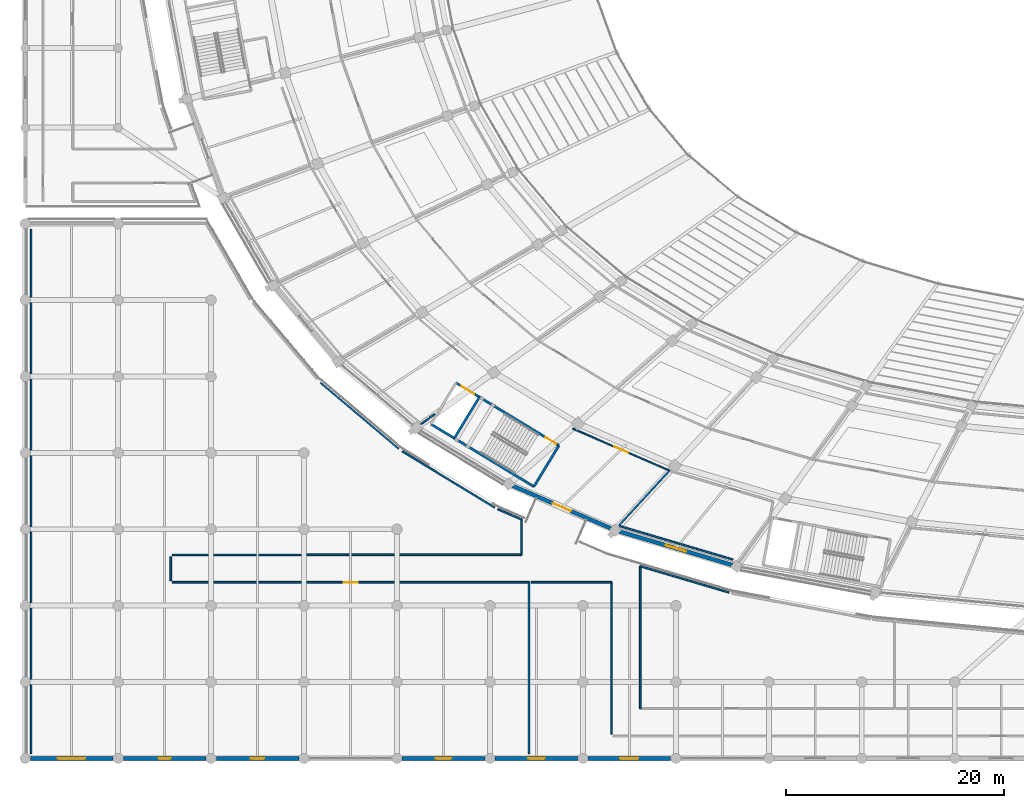
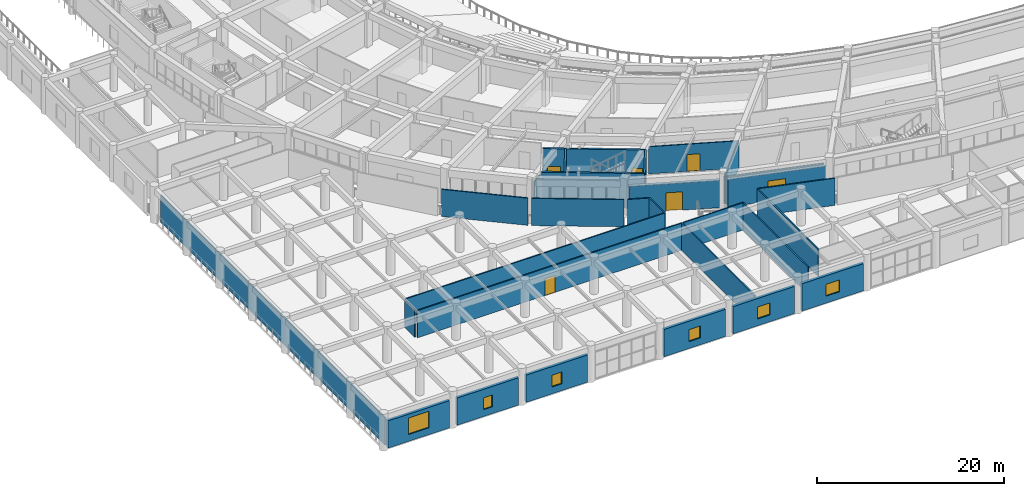
# One storey, part 94 of 152: 29 walls, 7 windows, 5 doors, 12 openings.
"""IFC4 building model written with IfcOpenShell, lengths in metres."""

import ifcopenshell
import ifcopenshell.guid

model = None  # the IFC model being written
_history = None  # IfcOwnerHistory: only IFC2X3 demands one
_inside = {}  # id of a spatial element -> (the spatial element, [elements in it])
_under = {}  # id of a project, library or spatial element -> (it, [spatial elements below it])
_declared = {}  # id of a project -> (the project, [libraries it declares])
_typed = {}  # id of a type object -> (the type object, [elements of that type])
_made_of = {}  # id of a material, layer set ... -> (it, [elements and type objects made of it])


def new_model(schema):
    """Start an empty IFC model of exactly this schema.

    Asked for "IFC4X3", IfcOpenShell would pick the latest addendum, in which some entities
    have other attributes; the version numbers below select the first issue.
    IFC2X3 requires an IfcOwnerHistory on every rooted entity: one is made here for all.
    """
    global model, _history
    if schema == "IFC4X3":
        model = ifcopenshell.file(schema_version=(4, 3, 0, 0))
    else:
        model = ifcopenshell.file(schema=schema)
    _inside.clear()
    _under.clear()
    _declared.clear()
    _typed.clear()
    _made_of.clear()
    _history = None
    if model.schema == "IFC2X3":
        org = make("IfcOrganization", Name="unknown")
        user = make(
            "IfcPersonAndOrganization",
            ThePerson=make("IfcPerson", FamilyName="unknown"),
            TheOrganization=org,
        )
        app = make(
            "IfcApplication",
            ApplicationDeveloper=org,
            Version="unknown",
            ApplicationFullName="unknown",
            ApplicationIdentifier="unknown",
        )
        _history = make(
            "IfcOwnerHistory",
            OwningUser=user,
            OwningApplication=app,
            ChangeAction="ADDED",
            CreationDate=0,
        )
    return model


def make(cls, **values):
    """One entity of the class cls with the attributes given. An attribute that is None is left unset."""
    return model.create_entity(
        cls, **{name: value for name, value in values.items() if value is not None}
    )


def rooted(cls, **values):
    """An entity with a GlobalId (a new one), such as an element, a storey or a relation."""
    return make(cls, GlobalId=ifcopenshell.guid.new(), OwnerHistory=_history, **values)


def si_unit(unit_type, name, prefix=None):
    """IfcSIUnit, for example si_unit("LENGTHUNIT", "METRE", prefix="MILLI")."""
    return make("IfcSIUnit", UnitType=unit_type, Prefix=prefix, Name=name)


def assignment(units):
    """IfcUnitAssignment: the units of a project."""
    return None if units is None else make("IfcUnitAssignment", Units=units)


def point(xyz):
    """IfcCartesianPoint."""
    return None if xyz is None else make("IfcCartesianPoint", Coordinates=xyz)


def direction(xyz):
    """IfcDirection."""
    return None if xyz is None else make("IfcDirection", DirectionRatios=xyz)


def frame(location, z_axis=None, x_axis=None):
    """IfcAxis2Placement3D, a coordinate frame: its origin and axes. An axis left out is left unset."""
    return make(
        "IfcAxis2Placement3D",
        Location=point(location),
        Axis=direction(z_axis),
        RefDirection=direction(x_axis),
    )


def frame_2d(location, x_axis=None):
    """IfcAxis2Placement2D, a coordinate frame in the plane: its origin and x axis."""
    return make(
        "IfcAxis2Placement2D", Location=point(location), RefDirection=direction(x_axis)
    )


def origin():
    """The frame at (0, 0, 0) with its axes left unset."""
    return frame((0.0, 0.0, 0.0))


def place(relative_to, where):
    """IfcLocalPlacement: puts the frame where relative to a parent placement (None: the world)."""
    return make(
        "IfcLocalPlacement", PlacementRelTo=relative_to, RelativePlacement=where
    )


def context(
    kind, dimensions, precision=None, world=None, true_north=None, identifier=None
):
    """IfcGeometricRepresentationContext, for example the 3D "Model" context."""
    return make(
        "IfcGeometricRepresentationContext",
        ContextIdentifier=identifier,
        ContextType=kind,
        CoordinateSpaceDimension=dimensions,
        Precision=precision,
        WorldCoordinateSystem=world,
        TrueNorth=true_north,
    )


def subcontext(parent, identifier, kind, view, scale=None):
    """IfcGeometricRepresentationSubContext, for example "Body" below "Model"."""
    return make(
        "IfcGeometricRepresentationSubContext",
        ContextIdentifier=identifier,
        ContextType=kind,
        ParentContext=parent,
        TargetScale=scale,
        TargetView=view,
    )


def project(units=None, contexts=None):
    """IfcProject with its units and contexts."""
    return rooted(
        "IfcProject",
        Name="project",
        RepresentationContexts=contexts,
        UnitsInContext=assignment(units),
    )


def spatial(cls, under=None, at=None, **own):
    """A site, building, storey or space (cls), placed at a placement, below another one or the project."""
    s = rooted(cls, ObjectPlacement=at, **own)
    if under is not None:
        _under.setdefault(under.id(), (under, []))[1].append(s)
    return s


def profile(cls, at=None, kind="AREA", **sizes):
    """A parametric profile (cls). Its sizes go by their IFC names, for example OverallWidth=200.0."""
    return make(cls, ProfileType=kind, Position=at, **sizes)


def rectangle(**sizes):
    """IfcRectangleProfileDef."""
    return profile("IfcRectangleProfileDef", **sizes)


def extrude(swept, where, along, depth):
    """IfcExtrudedAreaSolid: the profile swept, set in the frame where, extruded along a direction by depth."""
    return make(
        "IfcExtrudedAreaSolid",
        SweptArea=swept,
        Position=where,
        ExtrudedDirection=direction(along),
        Depth=depth,
    )


def shape(context_of_items, identifier, shape_type, items):
    """IfcShapeRepresentation: the items that make up one representation, for example the "Body"."""
    return make(
        "IfcShapeRepresentation",
        ContextOfItems=context_of_items,
        RepresentationIdentifier=identifier,
        RepresentationType=shape_type,
        Items=items,
    )


def material(Name=None, Category=None):
    """IfcMaterial."""
    return make("IfcMaterial", Name=Name, Category=Category)


def layer(
    of_material, thickness, ventilated=None, Name=None, Category=None, Priority=None
):
    """IfcMaterialLayer: one layer of a wall or slab, of a material (None: an air gap)."""
    return make(
        "IfcMaterialLayer",
        Material=of_material,
        LayerThickness=thickness,
        IsVentilated=ventilated,
        Name=Name,
        Category=Category,
        Priority=Priority,
    )


def layer_set(layers, Name=None):
    """IfcMaterialLayerSet."""
    return make("IfcMaterialLayerSet", MaterialLayers=layers, LayerSetName=Name)


def made_of(thing, what):
    """Note that an element or type object is made of a material, layer set ...; save() writes the relation."""
    if what is not None:
        _made_of.setdefault(what.id(), (what, []))[1].append(thing)
    return thing


def type_object(cls, material=None, **own):
    """A type object (cls), such as IfcWallType, which elements share."""
    return made_of(rooted(cls, **own), material)


def element(
    cls,
    number,
    at=None,
    inside=None,
    cuts=None,
    type_object=None,
    material=None,
    context=None,
    identifier="Body",
    shape_type=None,
    held_by="IfcProductDefinitionShape",
    body=None,
    shapes=None,
    **own,
):
    """One element of the class cls, such as IfcWall. Its Tag is "e" and its number.

    at: its placement. inside: the storey or other place that contains it. cuts: it is an
    opening in that element (IfcRelVoidsElement). A single representation is given by context,
    identifier, shape_type and body (its items); several are given by shapes. held_by: the class
    of the entity that holds the representations. save() writes the other relations.
    """
    e = rooted(cls, Tag="e%d" % number, ObjectPlacement=at, **own)
    if body is not None:
        shapes = [shape(context, identifier, shape_type, body)]
    if shapes is not None:
        e.Representation = make(held_by, Representations=shapes)
    if inside is not None:
        _inside.setdefault(inside.id(), (inside, []))[1].append(e)
    if cuts is not None:
        rooted(
            "IfcRelVoidsElement", RelatingBuildingElement=cuts, RelatedOpeningElement=e
        )
    if type_object is not None:
        _typed.setdefault(type_object.id(), (type_object, []))[1].append(e)
    return made_of(e, material)


def fill(opening, filler):
    """IfcRelFillsElement: the door or window that sits in an opening."""
    return rooted(
        "IfcRelFillsElement",
        RelatingOpeningElement=opening,
        RelatedBuildingElement=filler,
    )


def aggregate(whole, parts):
    """IfcRelAggregates: a whole, such as a stair, and the parts it consists of."""
    return rooted("IfcRelAggregates", RelatingObject=whole, RelatedObjects=parts)


def save(model, path):
    """Write the relations noted so far, then the file.

    IfcRelAggregates (storeys below a building ...), IfcRelContainedInSpatialStructure (elements
    in a storey), IfcRelDefinesByType, IfcRelAssociatesMaterial and IfcRelDeclares: one each for
    every whole, place, type object, material and project.
    """
    for whole, parts in _under.values():
        aggregate(whole, parts)
    for where, things in _inside.values():
        rooted(
            "IfcRelContainedInSpatialStructure",
            RelatedElements=things,
            RelatingStructure=where,
        )
    for kind, things in _typed.values():
        rooted("IfcRelDefinesByType", RelatedObjects=things, RelatingType=kind)
    for what, things in _made_of.values():
        rooted("IfcRelAssociatesMaterial", RelatedObjects=things, RelatingMaterial=what)
    for by, libraries in _declared.values():
        rooted("IfcRelDeclares", RelatingContext=by, RelatedDefinitions=libraries)
    model.write(path)


model = new_model("IFC4")

# Units and contexts
model_context = context("Model", 3, precision=1e-05, world=origin(), true_north=direction((0.0, 1.0)))
body_context = subcontext(model_context, "Body", "Model", "MODEL_VIEW")
ifc_project = project(units=[si_unit("LENGTHUNIT", "METRE"), si_unit("AREAUNIT", "SQUARE_METRE"), si_unit("VOLUMEUNIT", "CUBIC_METRE"), si_unit("PLANEANGLEUNIT", "RADIAN"), si_unit("MASSUNIT", "GRAM", prefix="KILO")], contexts=[model_context])

# Site, building, storey
site_placement = place(None, origin())
site = spatial("IfcSite", under=ifc_project, at=site_placement, CompositionType="ELEMENT")
building_placement = place(site_placement, origin())
building = spatial("IfcBuilding", under=site, at=building_placement, Name="Mphavela Belvedere Stadium", CompositionType="ELEMENT")
storey_placement = place(building_placement, frame((0.0, 0.0, 5.39990234375)))
storey = spatial("IfcBuildingStorey", under=building, at=storey_placement, Name="L01", CompositionType="ELEMENT", Elevation=5.39990234375)

# Walls
ifc_material_1 = material(Name="Concrete C40/50", Category="concrete")
ifc_layer_1 = layer(ifc_material_1, 0.219970703125)
ifc_layer_set_1 = layer_set([ifc_layer_1], Name="Concrete C40/50")
wall_type_1 = type_object("IfcWallType", Name="WAL-CORE-SHEAR-220", PredefinedType="SHEAR", material=ifc_layer_set_1)
wall_1_placement = place(storey_placement, frame((46.62060546875, 24.908935546875, 0.0), z_axis=(0.0, 0.0, 1.0), x_axis=(-0.854373055797, 0.519660159651, 0.0)))
element("IfcWall", 1, at=wall_1_placement, inside=storey, type_object=wall_type_1, Name="Core C10 shear wall L01 rear", PredefinedType="SHEAR", context=body_context, shape_type="SweptSolid", body=[
    extrude(rectangle(XDim=11.019775390625, YDim=0.219970703125, at=frame_2d((5.509765625, 0.0))), origin(), (0.0, 0.0, 1.0), 4.550048828125),
])
wall_2_placement = place(storey_placement, frame((48.91259765625, 28.676513671875, 0.0), z_axis=(0.0, 0.0, 1.0), x_axis=(-0.519729151243, -0.854331088834, 0.0)))
element("IfcWall", 2, at=wall_2_placement, inside=storey, type_object=wall_type_1, Name="Core C10 shear wall L01 left", PredefinedType="SHEAR", context=body_context, shape_type="SweptSolid", body=[
    extrude(rectangle(XDim=4.409912109375, YDim=0.219970703125, at=frame_2d((2.205078125, 0.0))), origin(), (0.0, 0.0, 1.0), 4.550048828125),
])

# Wall, openings, doors
wall_3_placement = place(storey_placement, frame((48.91259765625, 28.676513671875, 0.0), z_axis=(0.0, 0.0, 1.0), x_axis=(-0.854369202373, 0.51966649501, 0.0)))
wall_3 = element("IfcWall", 3, at=wall_3_placement, inside=storey, type_object=wall_type_1, Name="Core C10 shear wall L01 front", PredefinedType="SHEAR", context=body_context, shape_type="SweptSolid", body=[
    extrude(rectangle(XDim=11.020263671875, YDim=0.219970703125, at=frame_2d((5.51025390625, 0.0))), origin(), (0.0, 0.0, 1.0), 4.550048828125),
])
opening_1_placement = place(wall_3_placement, frame((0.300048828125, 0.0, 0.0)))
opening_1 = element("IfcOpeningElement", 4, at=opening_1_placement, cuts=wall_3, Name="Opening SD-052", PredefinedType="OPENING", context=body_context, shape_type="SweptSolid", body=[
    extrude(rectangle(XDim=1.14990234375, YDim=2.14990234375, at=frame_2d((0.574951171875, 1.074951171875))), frame((0.0, 0.1201171875, 0.0), z_axis=(0.0, -1.0, 0.0), x_axis=(1.0, 0.0, 0.0)), (0.0, 0.0, 1.0), 0.239990234375),
])
opening_2_placement = place(wall_3_placement, frame((9.080078125, 0.0, 0.0)))
opening_2 = element("IfcOpeningElement", 5, at=opening_2_placement, cuts=wall_3, Name="Opening LD-052", PredefinedType="OPENING", context=body_context, shape_type="SweptSolid", body=[
    extrude(rectangle(XDim=1.39990234375, YDim=2.25, at=frame_2d((0.699951171875, 1.125))), frame((0.0, 0.1201171875, 0.0), z_axis=(0.0, -1.0, 0.0), x_axis=(1.0, 0.0, 0.0)), (0.0, 0.0, 1.0), 0.239990234375),
])
ifc_material_2 = material(Name="Heavy-duty stainless steel goods lift landing door", Category="steel")
door_type_1 = type_object("IfcDoorType", Name="DR-LIFT-SLIDE-1400", OperationType="NOTDEFINED", PredefinedType="DOOR", material=ifc_material_2)
door_1_placement = place(opening_2_placement, origin())
door_1 = element("IfcDoor", 6, at=door_1_placement, inside=storey, type_object=door_type_1, Name="Lift landing sliding door GL02 L01", OperationType="DOUBLE_DOOR_SLIDING", OverallHeight=2.25, OverallWidth=1.39990234375, PredefinedType="DOOR", context=body_context, shape_type="SweptSolid", body=[
    extrude(rectangle(XDim=1.39990234375, YDim=2.25, at=frame_2d((0.699951171875, 1.125))), frame((0.0, 0.02490234375, 0.0), z_axis=(0.0, -1.0, 0.0), x_axis=(1.0, 0.0, 0.0)), (0.0, 0.0, 1.0), 0.050048828125),
])
fill(opening_2, door_1)
ifc_material_3 = material(Name="Steel acoustic fire-resisting stair doorset", Category="steel")
door_type_2 = type_object("IfcDoorType", Name="DR-STAIR-FIRE-1150", OperationType="NOTDEFINED", PredefinedType="DOOR", material=ifc_material_3)
door_2_placement = place(opening_1_placement, origin())
door_2 = element("IfcDoor", 7, at=door_2_placement, inside=storey, type_object=door_type_2, Name="Escape stair fire door C10 L01", OperationType="SINGLE_SWING_RIGHT", OverallHeight=2.14990234375, OverallWidth=1.14990234375, PredefinedType="DOOR", context=body_context, shape_type="SweptSolid", body=[
    extrude(rectangle(XDim=1.14990234375, YDim=2.14990234375, at=frame_2d((0.574951171875, 1.074951171875))), frame((0.0, 0.02490234375, 0.0), z_axis=(0.0, -1.0, 0.0), x_axis=(1.0, 0.0, 0.0)), (0.0, 0.0, 1.0), 0.050048828125),
])
fill(opening_1, door_2)

# Wall
wall_4_placement = place(storey_placement, frame((41.6162109375, 33.114501953125, 0.0), z_axis=(0.0, 0.0, 1.0), x_axis=(-0.519664162523, -0.854370621095, 0.0)))
element("IfcWall", 8, at=wall_4_placement, inside=storey, type_object=wall_type_1, Name="Core C10 shear wall L01 div", PredefinedType="SHEAR", context=body_context, shape_type="SweptSolid", body=[
    extrude(rectangle(XDim=4.41015625, YDim=0.219970703125, at=frame_2d((2.205078125, 0.0))), origin(), (0.0, 0.0, 1.0), 4.550048828125),
])

# Wall, opening, door
ifc_material_4 = material(Name="Honed ashlar limestone masonry", Category="masonry")
ifc_layer_2 = layer(ifc_material_4, 0.35009765625)
ifc_layer_set_2 = layer_set([ifc_layer_2], Name="Honed ashlar limestone masonry")
wall_type_2 = type_object("IfcWallType", Name="WAL-EXT-ASHLAR-350", PredefinedType="STANDARD", material=ifc_layer_set_2)
wall_5_placement = place(storey_placement, frame((53.67431640625, 21.076904296875, 0.0), z_axis=(0.0, 0.0, 1.0), x_axis=(-0.91749374913, 0.397750198375, 0.0)))
wall_5 = element("IfcWall", 9, at=wall_5_placement, inside=storey, type_object=wall_type_2, Name="Classical link portal wall L01-32", PredefinedType="STANDARD", context=body_context, shape_type="SweptSolid", body=[
    extrude(rectangle(XDim=9.790283203125, YDim=0.35009765625, at=frame_2d((4.89501953125, 0.0))), origin(), (0.0, 0.0, 1.0), 3.570068359375),
])
opening_3_placement = place(wall_5_placement, frame((3.9951171875, 0.0, 0.0)))
opening_3 = element("IfcOpeningElement", 10, at=opening_3_placement, cuts=wall_5, Name="Opening ID-9131", PredefinedType="OPENING", context=body_context, shape_type="SweptSolid", body=[
    extrude(rectangle(XDim=1.800048828125, YDim=2.39990234375, at=frame_2d((0.89990234375, 1.199951171875))), frame((0.0, 0.18505859375, 0.0), z_axis=(0.0, -1.0, 0.0), x_axis=(1.0, 0.0, 0.0)), (0.0, 0.0, 1.0), 0.3701171875),
])
ifc_material_5 = material(Name="Glazed bronze-anodised steel exit doorset", Category="steel")
door_type_3 = type_object("IfcDoorType", Name="DR-EXT-01", OperationType="NOTDEFINED", PredefinedType="DOOR", material=ifc_material_5)
door_3_placement = place(opening_3_placement, origin())
door_3 = element("IfcDoor", 11, at=door_3_placement, inside=storey, type_object=door_type_3, Name="Wing promenade link doorset L01-32", OperationType="DOUBLE_DOOR_SINGLE_SWING", OverallHeight=2.39990234375, OverallWidth=1.800048828125, PredefinedType="DOOR", context=body_context, shape_type="SweptSolid", body=[
    extrude(rectangle(XDim=1.800048828125, YDim=2.39990234375, at=frame_2d((0.89990234375, 1.199951171875))), frame((0.0, 0.02490234375, 0.0), z_axis=(0.0, -1.0, 0.0), x_axis=(1.0, 0.0, 0.0)), (0.0, 0.0, 1.0), 0.050048828125),
])
fill(opening_3, door_3)

# Wall, opening, window
wall_6_placement = place(storey_placement, frame((54.468017578125, 20.788330078125, 0.0), z_axis=(0.0, 0.0, 1.0), x_axis=(0.958655755841, -0.284568342921, 0.0)))
wall_6 = element("IfcWall", 12, at=wall_6_placement, inside=storey, type_object=wall_type_2, Name="Classical ashlar facade wall L01-33", PredefinedType="STANDARD", context=body_context, shape_type="SweptSolid", body=[
    extrude(rectangle(XDim=10.7705078125, YDim=0.35009765625, at=frame_2d((5.38525390625, 0.0))), origin(), (0.0, 0.0, 1.0), 3.570068359375),
])
opening_4_placement = place(wall_6_placement, frame((4.415283203125, 0.0, 0.89990234375)))
opening_4 = element("IfcOpeningElement", 13, at=opening_4_placement, cuts=wall_6, Name="Opening W-018", PredefinedType="OPENING", context=body_context, shape_type="SweptSolid", body=[
    extrude(rectangle(XDim=1.93994140625, YDim=1.75, at=frame_2d((0.969970703125, 0.875))), frame((0.0, 0.18505859375, 0.0), z_axis=(0.0, -1.0, 0.0), x_axis=(1.0, 0.0, 0.0)), (0.0, 0.0, 1.0), 0.3701171875),
])
ifc_material_6 = material(Name="Bronze-anodised thermally broken aluminium window", Category="aluminium")
window_type_1 = type_object("IfcWindowType", Name="WIN-EXT-18", PartitioningType="SINGLE_PANEL", PredefinedType="WINDOW", material=ifc_material_6)
window_1_placement = place(opening_4_placement, origin())
window_1 = element("IfcWindow", 14, at=window_1_placement, inside=storey, type_object=window_type_1, Name="Belvedere gallery window W-018", OverallHeight=1.75, OverallWidth=1.93994140625, PartitioningType="SINGLE_PANEL", PredefinedType="WINDOW", context=body_context, shape_type="SweptSolid", body=[
    extrude(rectangle(XDim=1.93994140625, YDim=1.75, at=frame_2d((0.969970703125, 0.875))), frame((0.0, 0.030029296875, 0.0), z_axis=(0.0, -1.0, 0.0), x_axis=(1.0, 0.0, 0.0)), (0.0, 0.0, 1.0), 0.06005859375),
])
fill(opening_4, window_1)

wall_7_placement = place(storey_placement, frame((8.0458984375, 0.0, 0.0), z_axis=(0.0, 0.0, 1.0), x_axis=(-1.0, 0.0, 0.0)))
wall_7 = element("IfcWall", 15, at=wall_7_placement, inside=storey, type_object=wall_type_2, Name="South Axial Triumphal Peristyle Portico outer facade bay L01-01", PredefinedType="STANDARD", context=body_context, shape_type="SweptSolid", body=[
    extrude(rectangle(XDim=7.572998046875, YDim=0.35009765625, at=frame_2d((3.78662109375, 0.0))), origin(), (0.0, 0.0, 1.0), 3.56005859375),
])
opening_5_placement = place(wall_7_placement, frame((2.526611328125, 0.0, 0.89990234375)))
opening_5 = element("IfcOpeningElement", 16, at=opening_5_placement, cuts=wall_7, Name="Opening W-044", PredefinedType="OPENING", context=body_context, shape_type="SweptSolid", body=[
    extrude(rectangle(XDim=2.52001953125, YDim=2.14990234375, at=frame_2d((1.260009765625, 1.074951171875))), frame((0.0, 0.18505859375, 0.0), z_axis=(0.0, -1.0, 0.0), x_axis=(1.0, 0.0, 0.0)), (0.0, 0.0, 1.0), 0.3701171875),
])
ifc_material_7 = material(Name="Bronze-anodised thermally broken aluminium window", Category="aluminium")
window_type_2 = type_object("IfcWindowType", Name="WIN-EXT-44", PartitioningType="SINGLE_PANEL", PredefinedType="WINDOW", material=ifc_material_7)
window_2_placement = place(opening_5_placement, origin())
window_2 = element("IfcWindow", 17, at=window_2_placement, inside=storey, type_object=window_type_2, Name="South Axial Triumphal Peristyle Portico classical window W-044", OverallHeight=2.14990234375, OverallWidth=2.52001953125, PartitioningType="SINGLE_PANEL", PredefinedType="WINDOW", context=body_context, shape_type="SweptSolid", body=[
    extrude(rectangle(XDim=2.52001953125, YDim=2.14990234375, at=frame_2d((1.260009765625, 1.074951171875))), frame((0.0, 0.030029296875, 0.0), z_axis=(0.0, -1.0, 0.0), x_axis=(1.0, 0.0, 0.0)), (0.0, 0.0, 1.0), 0.06005859375),
])
fill(opening_5, window_2)

wall_8_placement = place(storey_placement, frame((16.56396484375, 0.0, 0.0), z_axis=(0.0, 0.0, 1.0), x_axis=(-1.0, 0.0, 0.0)))
wall_8 = element("IfcWall", 18, at=wall_8_placement, inside=storey, type_object=wall_type_2, Name="South Axial Triumphal Peristyle Portico outer facade bay L01-02", PredefinedType="STANDARD", context=body_context, shape_type="SweptSolid", body=[
    extrude(rectangle(XDim=7.572021484375, YDim=0.35009765625, at=frame_2d((3.7861328125, 0.0))), origin(), (0.0, 0.0, 1.0), 3.56005859375),
])
opening_6_placement = place(wall_8_placement, frame((3.236083984375, 0.0, 0.89990234375)))
opening_6 = element("IfcOpeningElement", 19, at=opening_6_placement, cuts=wall_8, Name="Opening W-045", PredefinedType="OPENING", context=body_context, shape_type="SweptSolid", body=[
    extrude(rectangle(XDim=1.10009765625, YDim=1.550048828125, at=frame_2d((0.550048828125, 0.77490234375))), frame((0.0, 0.18505859375, 0.0), z_axis=(0.0, -1.0, 0.0), x_axis=(1.0, 0.0, 0.0)), (0.0, 0.0, 1.0), 0.3701171875),
])
ifc_material_8 = material(Name="Bronze-anodised thermally broken aluminium window", Category="aluminium")
window_type_3 = type_object("IfcWindowType", Name="WIN-EXT-01", PartitioningType="SINGLE_PANEL", PredefinedType="WINDOW", material=ifc_material_8)
window_3_placement = place(opening_6_placement, origin())
window_3 = element("IfcWindow", 20, at=window_3_placement, inside=storey, type_object=window_type_3, Name="South Axial Triumphal Peristyle Portico classical window W-045", OverallHeight=1.550048828125, OverallWidth=1.10009765625, PartitioningType="SINGLE_PANEL", PredefinedType="WINDOW", context=body_context, shape_type="SweptSolid", body=[
    extrude(rectangle(XDim=1.10009765625, YDim=1.550048828125, at=frame_2d((0.550048828125, 0.77490234375))), frame((0.0, 0.030029296875, 0.0), z_axis=(0.0, -1.0, 0.0), x_axis=(1.0, 0.0, 0.0)), (0.0, 0.0, 1.0), 0.06005859375),
])
fill(opening_6, window_3)

wall_9_placement = place(storey_placement, frame((25.0830078125, 0.0, 0.0), z_axis=(0.0, 0.0, 1.0), x_axis=(-1.0, 0.0, 0.0)))
wall_9 = element("IfcWall", 21, at=wall_9_placement, inside=storey, type_object=wall_type_2, Name="South Axial Triumphal Peristyle Portico outer facade bay L01-03", PredefinedType="STANDARD", context=body_context, shape_type="SweptSolid", body=[
    extrude(rectangle(XDim=7.572998046875, YDim=0.35009765625, at=frame_2d((3.78662109375, 0.0))), origin(), (0.0, 0.0, 1.0), 3.56005859375),
])
opening_7_placement = place(wall_9_placement, frame((3.16650390625, 0.0, 0.89990234375)))
opening_7 = element("IfcOpeningElement", 22, at=opening_7_placement, cuts=wall_9, Name="Opening W-046", PredefinedType="OPENING", context=body_context, shape_type="SweptSolid", body=[
    extrude(rectangle(XDim=1.239990234375, YDim=1.550048828125, at=frame_2d((0.6201171875, 0.77490234375))), frame((0.0, 0.18505859375, 0.0), z_axis=(0.0, -1.0, 0.0), x_axis=(1.0, 0.0, 0.0)), (0.0, 0.0, 1.0), 0.3701171875),
])
ifc_material_9 = material(Name="Bronze-anodised thermally broken aluminium window", Category="aluminium")
window_type_4 = type_object("IfcWindowType", Name="WIN-EXT-02", PartitioningType="SINGLE_PANEL", PredefinedType="WINDOW", material=ifc_material_9)
window_4_placement = place(opening_7_placement, origin())
window_4 = element("IfcWindow", 23, at=window_4_placement, inside=storey, type_object=window_type_4, Name="South Axial Triumphal Peristyle Portico classical window W-046", OverallHeight=1.550048828125, OverallWidth=1.239990234375, PartitioningType="SINGLE_PANEL", PredefinedType="WINDOW", context=body_context, shape_type="SweptSolid", body=[
    extrude(rectangle(XDim=1.239990234375, YDim=1.550048828125, at=frame_2d((0.6201171875, 0.77490234375))), frame((0.0, 0.030029296875, 0.0), z_axis=(0.0, -1.0, 0.0), x_axis=(1.0, 0.0, 0.0)), (0.0, 0.0, 1.0), 0.06005859375),
])
fill(opening_7, window_4)

wall_10_placement = place(storey_placement, frame((42.1201171875, 0.0, 0.0), z_axis=(0.0, 0.0, 1.0), x_axis=(-1.0, 0.0, 0.0)))
wall_10 = element("IfcWall", 24, at=wall_10_placement, inside=storey, type_object=wall_type_2, Name="South Axial Triumphal Peristyle Portico outer facade bay L01-05", PredefinedType="STANDARD", context=body_context, shape_type="SweptSolid", body=[
    extrude(rectangle(XDim=7.572998046875, YDim=0.35009765625, at=frame_2d((3.78662109375, 0.0))), origin(), (0.0, 0.0, 1.0), 3.56005859375),
])
opening_8_placement = place(wall_10_placement, frame((3.096435546875, 0.0, 0.89990234375)))
opening_8 = element("IfcOpeningElement", 25, at=opening_8_placement, cuts=wall_10, Name="Opening W-047", PredefinedType="OPENING", context=body_context, shape_type="SweptSolid", body=[
    extrude(rectangle(XDim=1.3798828125, YDim=1.550048828125, at=frame_2d((0.68994140625, 0.77490234375))), frame((0.0, 0.18505859375, 0.0), z_axis=(0.0, -1.0, 0.0), x_axis=(1.0, 0.0, 0.0)), (0.0, 0.0, 1.0), 0.3701171875),
])
ifc_material_10 = material(Name="Bronze-anodised thermally broken aluminium window", Category="aluminium")
window_type_5 = type_object("IfcWindowType", Name="WIN-EXT-03", PartitioningType="SINGLE_PANEL", PredefinedType="WINDOW", material=ifc_material_10)
window_5_placement = place(opening_8_placement, origin())
window_5 = element("IfcWindow", 26, at=window_5_placement, inside=storey, type_object=window_type_5, Name="South Axial Triumphal Peristyle Portico classical window W-047", OverallHeight=1.550048828125, OverallWidth=1.3798828125, PartitioningType="SINGLE_PANEL", PredefinedType="WINDOW", context=body_context, shape_type="SweptSolid", body=[
    extrude(rectangle(XDim=1.3798828125, YDim=1.550048828125, at=frame_2d((0.68994140625, 0.77490234375))), frame((0.0, 0.030029296875, 0.0), z_axis=(0.0, -1.0, 0.0), x_axis=(1.0, 0.0, 0.0)), (0.0, 0.0, 1.0), 0.06005859375),
])
fill(opening_8, window_5)

wall_11_placement = place(storey_placement, frame((50.637939453125, 0.0, 0.0), z_axis=(0.0, 0.0, 1.0), x_axis=(-1.0, 0.0, 0.0)))
wall_11 = element("IfcWall", 27, at=wall_11_placement, inside=storey, type_object=wall_type_2, Name="South Axial Triumphal Peristyle Portico outer facade bay L01-06", PredefinedType="STANDARD", context=body_context, shape_type="SweptSolid", body=[
    extrude(rectangle(XDim=7.572021484375, YDim=0.35009765625, at=frame_2d((3.7861328125, 0.0))), origin(), (0.0, 0.0, 1.0), 3.56005859375),
])
opening_9_placement = place(wall_11_placement, frame((3.02587890625, 0.0, 0.89990234375)))
opening_9 = element("IfcOpeningElement", 28, at=opening_9_placement, cuts=wall_11, Name="Opening W-048", PredefinedType="OPENING", context=body_context, shape_type="SweptSolid", body=[
    extrude(rectangle(XDim=1.52001953125, YDim=1.550048828125, at=frame_2d((0.760009765625, 0.77490234375))), frame((0.0, 0.18505859375, 0.0), z_axis=(0.0, -1.0, 0.0), x_axis=(1.0, 0.0, 0.0)), (0.0, 0.0, 1.0), 0.3701171875),
])
ifc_material_11 = material(Name="Bronze-anodised thermally broken aluminium window", Category="aluminium")
window_type_6 = type_object("IfcWindowType", Name="WIN-EXT-04", PartitioningType="SINGLE_PANEL", PredefinedType="WINDOW", material=ifc_material_11)
window_6_placement = place(opening_9_placement, origin())
window_6 = element("IfcWindow", 29, at=window_6_placement, inside=storey, type_object=window_type_6, Name="South Axial Triumphal Peristyle Portico classical window W-048", OverallHeight=1.550048828125, OverallWidth=1.52001953125, PartitioningType="SINGLE_PANEL", PredefinedType="WINDOW", context=body_context, shape_type="SweptSolid", body=[
    extrude(rectangle(XDim=1.52001953125, YDim=1.550048828125, at=frame_2d((0.760009765625, 0.77490234375))), frame((0.0, 0.030029296875, 0.0), z_axis=(0.0, -1.0, 0.0), x_axis=(1.0, 0.0, 0.0)), (0.0, 0.0, 1.0), 0.06005859375),
])
fill(opening_9, window_6)

wall_12_placement = place(storey_placement, frame((59.156982421875, 0.0, 0.0), z_axis=(0.0, 0.0, 1.0), x_axis=(-1.0, 0.0, 0.0)))
wall_12 = element("IfcWall", 30, at=wall_12_placement, inside=storey, type_object=wall_type_2, Name="South Axial Triumphal Peristyle Portico outer facade bay L01-07", PredefinedType="STANDARD", context=body_context, shape_type="SweptSolid", body=[
    extrude(rectangle(XDim=7.572998046875, YDim=0.35009765625, at=frame_2d((3.78662109375, 0.0))), origin(), (0.0, 0.0, 1.0), 3.56005859375),
])
opening_10_placement = place(wall_12_placement, frame((2.95654296875, 0.0, 0.89990234375)))
opening_10 = element("IfcOpeningElement", 31, at=opening_10_placement, cuts=wall_12, Name="Opening W-049", PredefinedType="OPENING", context=body_context, shape_type="SweptSolid", body=[
    extrude(rectangle(XDim=1.659912109375, YDim=1.550048828125, at=frame_2d((0.830078125, 0.77490234375))), frame((0.0, 0.18505859375, 0.0), z_axis=(0.0, -1.0, 0.0), x_axis=(1.0, 0.0, 0.0)), (0.0, 0.0, 1.0), 0.3701171875),
])
ifc_material_12 = material(Name="Bronze-anodised thermally broken aluminium window", Category="aluminium")
window_type_7 = type_object("IfcWindowType", Name="WIN-EXT-05", PartitioningType="SINGLE_PANEL", PredefinedType="WINDOW", material=ifc_material_12)
window_7_placement = place(opening_10_placement, origin())
window_7 = element("IfcWindow", 32, at=window_7_placement, inside=storey, type_object=window_type_7, Name="South Axial Triumphal Peristyle Portico classical window W-049", OverallHeight=1.550048828125, OverallWidth=1.659912109375, PartitioningType="SINGLE_PANEL", PredefinedType="WINDOW", context=body_context, shape_type="SweptSolid", body=[
    extrude(rectangle(XDim=1.659912109375, YDim=1.550048828125, at=frame_2d((0.830078125, 0.77490234375))), frame((0.0, 0.030029296875, 0.0), z_axis=(0.0, -1.0, 0.0), x_axis=(1.0, 0.0, 0.0)), (0.0, 0.0, 1.0), 0.06005859375),
])
fill(opening_10, window_7)

# Wall, opening, door
ifc_material_13 = material(Name="Moisture-resistant sanitary partition assembly")
ifc_layer_3 = layer(ifc_material_13, 0.125)
ifc_layer_set_3 = layer_set([ifc_layer_3], Name="Moisture-resistant sanitary partition assembly")
wall_type_3 = type_object("IfcWallType", Name="WAL-PART-125", PredefinedType="PARTITIONING", material=ifc_layer_set_3)
wall_13_placement = place(storey_placement, frame((50.18017578125, 30.227783203125, 0.0), z_axis=(0.0, 0.0, 1.0), x_axis=(0.917508957037, -0.39771511633, 0.0)))
wall_13 = element("IfcWall", 33, at=wall_13_placement, inside=storey, type_object=wall_type_3, Name="Room L01-115 corridor partition", PredefinedType="PARTITIONING", context=body_context, shape_type="SweptSolid", body=[
    extrude(rectangle(XDim=9.67138671875, YDim=0.125, at=frame_2d((4.835693359375, 0.0))), origin(), (0.0, 0.0, 1.0), 3.550048828125),
])
opening_11_placement = place(wall_13_placement, frame((4.1357421875, 0.0, 0.0)))
opening_11 = element("IfcOpeningElement", 34, at=opening_11_placement, cuts=wall_13, Name="Opening ID-132", PredefinedType="OPENING", context=body_context, shape_type="SweptSolid", body=[
    extrude(rectangle(XDim=1.39990234375, YDim=2.199951171875, at=frame_2d((0.699951171875, 1.10009765625))), frame((0.0, 0.072509765625, 0.0), z_axis=(0.0, -1.0, 0.0), x_axis=(1.0, 0.0, 0.0)), (0.0, 0.0, 1.0), 0.14501953125),
])
ifc_material_14 = material(Name="Hardwood acoustic timber doorset", Category="wood")
door_type_4 = type_object("IfcDoorType", Name="DR-INT-24", OperationType="NOTDEFINED", PredefinedType="DOOR", material=ifc_material_14)
door_4_placement = place(opening_11_placement, origin())
door_4 = element("IfcDoor", 35, at=door_4_placement, inside=storey, type_object=door_type_4, Name="Room L01-115 entrance door ID-132", OperationType="SINGLE_SWING_RIGHT", OverallHeight=2.199951171875, OverallWidth=1.39990234375, PredefinedType="DOOR", context=body_context, shape_type="SweptSolid", body=[
    extrude(rectangle(XDim=1.39990234375, YDim=2.199951171875, at=frame_2d((0.699951171875, 1.10009765625))), frame((0.0, 0.02490234375, 0.0), z_axis=(0.0, -1.0, 0.0), x_axis=(1.0, 0.0, 0.0)), (0.0, 0.0, 1.0), 0.050048828125),
])
fill(opening_11, door_4)

ifc_material_15 = material(Name="Acoustic gypsum stud partition assembly")
ifc_layer_4 = layer(ifc_material_15, 0.14990234375)
ifc_layer_set_4 = layer_set([ifc_layer_4], Name="Acoustic gypsum stud partition assembly")
wall_type_4 = type_object("IfcWallType", Name="WAL-PART-150", PredefinedType="PARTITIONING", material=ifc_layer_set_4)
wall_14_placement = place(storey_placement, frame((13.5, 16.139892578125, 0.0), z_axis=(0.0, 0.0, 1.0), x_axis=(1.0, 0.0, 0.0)))
wall_14 = element("IfcWall", 36, at=wall_14_placement, inside=storey, type_object=wall_type_4, Name="Room L01-163 corridor partition", PredefinedType="PARTITIONING", context=body_context, shape_type="SweptSolid", body=[
    extrude(rectangle(XDim=32.669921875, YDim=0.14990234375, at=frame_2d((16.3349609375, 0.0))), origin(), (0.0, 0.0, 1.0), 3.550048828125),
])
opening_12_placement = place(wall_14_placement, frame((15.705078125, 0.0, 0.0)))
opening_12 = element("IfcOpeningElement", 37, at=opening_12_placement, cuts=wall_14, Name="Opening ID-382", PredefinedType="OPENING", context=body_context, shape_type="SweptSolid", body=[
    extrude(rectangle(XDim=1.260009765625, YDim=2.199951171875, at=frame_2d((0.6298828125, 1.10009765625))), frame((0.0, 0.0849609375, 0.0), z_axis=(0.0, -1.0, 0.0), x_axis=(1.0, 0.0, 0.0)), (0.0, 0.0, 1.0), 0.169921875),
])
ifc_material_16 = material(Name="Hardwood acoustic timber doorset", Category="wood")
door_type_5 = type_object("IfcDoorType", Name="DR-INT-22", OperationType="NOTDEFINED", PredefinedType="DOOR", material=ifc_material_16)
door_5_placement = place(opening_12_placement, origin())
door_5 = element("IfcDoor", 38, at=door_5_placement, inside=storey, type_object=door_type_5, Name="Room L01-163 entrance door ID-382", OperationType="SINGLE_SWING_RIGHT", OverallHeight=2.199951171875, OverallWidth=1.260009765625, PredefinedType="DOOR", context=body_context, shape_type="SweptSolid", body=[
    extrude(rectangle(XDim=1.260009765625, YDim=2.199951171875, at=frame_2d((0.6298828125, 1.10009765625))), frame((0.0, 0.02490234375, 0.0), z_axis=(0.0, -1.0, 0.0), x_axis=(1.0, 0.0, 0.0)), (0.0, 0.0, 1.0), 0.050048828125),
])
fill(opening_12, door_5)

# Walls
wall_15_placement = place(storey_placement, frame((37.538330078125, 31.54833984375, 0.0), z_axis=(0.0, 0.0, 1.0), x_axis=(-0.812848600764, -0.582475022844, 0.0)))
element("IfcWall", 39, at=wall_15_placement, inside=storey, type_object=wall_type_4, Name="Room divider partition L01-0228", PredefinedType="PARTITIONING", context=body_context, shape_type="SweptSolid", body=[
    extrude(rectangle(XDim=1.5302734375, YDim=0.14990234375, at=frame_2d((0.76513671875, 0.0))), origin(), (0.0, 0.0, 1.0), 3.550048828125),
])
wall_16_placement = place(storey_placement, frame((59.0537109375, 26.38134765625, 0.0), z_axis=(0.0, 0.0, 1.0), x_axis=(-0.677844539823, -0.735205263741, 0.0)))
element("IfcWall", 40, at=wall_16_placement, inside=storey, type_object=wall_type_4, Name="Room divider partition L01-0234", PredefinedType="PARTITIONING", context=body_context, shape_type="SweptSolid", body=[
    extrude(rectangle(XDim=6.86962890625, YDim=0.14990234375, at=frame_2d((3.434814453125, 0.0))), origin(), (0.0, 0.0, 1.0), 3.550048828125),
])
wall_17_placement = place(storey_placement, frame((64.86083984375, 18.2216796875, 0.0), z_axis=(0.0, 0.0, 1.0), x_axis=(-0.958658110998, 0.284560408733, 0.0)))
element("IfcWall", 41, at=wall_17_placement, inside=storey, type_object=wall_type_4, Name="Room divider partition L01-0239", PredefinedType="PARTITIONING", context=body_context, shape_type="SweptSolid", body=[
    extrude(rectangle(XDim=10.828369140625, YDim=0.14990234375, at=frame_2d((5.4140625, 0.0))), origin(), (0.0, 0.0, 1.0), 3.550048828125),
])
wall_18_placement = place(storey_placement, frame((27.04931640625, 34.435791015625, 0.0), z_axis=(0.0, 0.0, 1.0), x_axis=(0.76426547638, -0.644901761212, 0.0)))
element("IfcWall", 42, at=wall_18_placement, inside=storey, type_object=wall_type_4, Name="Room divider partition L01-0701", PredefinedType="PARTITIONING", context=body_context, shape_type="SweptSolid", body=[
    extrude(rectangle(XDim=9.3984375, YDim=0.14990234375, at=frame_2d((4.69921875, 0.0))), origin(), (0.0, 0.0, 1.0), 3.550048828125),
])
wall_19_placement = place(storey_placement, frame((34.544921875, 28.149658203125, 0.0), z_axis=(0.0, 0.0, 1.0), x_axis=(0.854333268174, -0.519725568826, 0.0)))
element("IfcWall", 43, at=wall_19_placement, inside=storey, type_object=wall_type_4, Name="Room divider partition L01-0702", PredefinedType="PARTITIONING", context=body_context, shape_type="SweptSolid", body=[
    extrude(rectangle(XDim=9.90185546875, YDim=0.14990234375, at=frame_2d((4.950927734375, 0.0))), origin(), (0.0, 0.0, 1.0), 3.550048828125),
])
wall_20_placement = place(storey_placement, frame((43.3095703125, 22.845458984375, 0.0), z_axis=(0.0, 0.0, 1.0), x_axis=(0.917484400903, -0.397771761314, 0.0)))
element("IfcWall", 44, at=wall_20_placement, inside=storey, type_object=wall_type_4, Name="Room divider partition L01-0703", PredefinedType="PARTITIONING", context=body_context, shape_type="SweptSolid", body=[
    extrude(rectangle(XDim=2.37646484375, YDim=0.14990234375, at=frame_2d((1.188232421875, 0.0))), origin(), (0.0, 0.0, 1.0), 3.550048828125),
])
wall_21_placement = place(storey_placement, frame((45.489990234375, 21.900146484375, 0.0), z_axis=(0.0, 0.0, 1.0), x_axis=(0.0, -1.0, 0.0)))
element("IfcWall", 45, at=wall_21_placement, inside=storey, type_object=wall_type_4, Name="Room divider partition L01-0704", PredefinedType="PARTITIONING", context=body_context, shape_type="SweptSolid", body=[
    extrude(rectangle(XDim=3.240234375, YDim=0.14990234375, at=frame_2d((1.6201171875, 0.0))), origin(), (0.0, 0.0, 1.0), 3.550048828125),
])
wall_22_placement = place(storey_placement, frame((45.489990234375, 18.659912109375, 0.0), z_axis=(0.0, 0.0, 1.0), x_axis=(-0.999999999738, -2.2884168e-05, 0.0)))
element("IfcWall", 46, at=wall_22_placement, inside=storey, type_object=wall_type_4, Name="Room divider partition L01-0705", PredefinedType="PARTITIONING", context=body_context, shape_type="SweptSolid", body=[
    extrude(rectangle(XDim=32.005615234375, YDim=0.14990234375, at=frame_2d((16.0029296875, 0.0))), origin(), (0.0, 0.0, 1.0), 3.550048828125),
])
wall_23_placement = place(storey_placement, frame((13.340087890625, 18.5, 0.0), z_axis=(0.0, 0.0, 1.0), x_axis=(0.0, -1.0, 0.0)))
element("IfcWall", 47, at=wall_23_placement, inside=storey, type_object=wall_type_4, Name="Room divider partition L01-0706", PredefinedType="PARTITIONING", context=body_context, shape_type="SweptSolid", body=[
    extrude(rectangle(XDim=2.199951171875, YDim=0.14990234375, at=frame_2d((1.10009765625, 0.0))), origin(), (0.0, 0.0, 1.0), 3.550048828125),
])
wall_24_placement = place(storey_placement, frame((46.169921875, 16.139892578125, 0.0), z_axis=(0.0, 0.0, 1.0), x_axis=(0.0, -1.0, 0.0)))
element("IfcWall", 48, at=wall_24_placement, inside=storey, type_object=wall_type_4, Name="Room divider partition L01-0707", PredefinedType="PARTITIONING", context=body_context, shape_type="SweptSolid", body=[
    extrude(rectangle(XDim=15.68994140625, YDim=0.14990234375, at=frame_2d((7.844970703125, 0.0))), origin(), (0.0, 0.0, 1.0), 3.550048828125),
])
wall_25_placement = place(storey_placement, frame((0.550048828125, 0.449951171875, 0.0), z_axis=(0.0, 0.0, 1.0), x_axis=(0.0, 1.0, 0.0)))
element("IfcWall", 49, at=wall_25_placement, inside=storey, type_object=wall_type_4, Name="Room divider partition L01-0708", PredefinedType="PARTITIONING", context=body_context, shape_type="SweptSolid", body=[
    extrude(rectangle(XDim=48.050048828125, YDim=0.14990234375, at=frame_2d((24.02490234375, 0.0))), origin(), (0.0, 0.0, 1.0), 3.550048828125),
])
wall_26_placement = place(storey_placement, frame((53.739990234375, 16.139892578125, 0.0), z_axis=(0.0, 0.0, 1.0), x_axis=(0.0, -1.0, 0.0)))
element("IfcWall", 50, at=wall_26_placement, inside=storey, type_object=wall_type_4, Name="Room divider partition L01-0711", PredefinedType="PARTITIONING", context=body_context, shape_type="SweptSolid", body=[
    extrude(rectangle(XDim=13.93994140625, YDim=0.14990234375, at=frame_2d((6.969970703125, 0.0))), origin(), (0.0, 0.0, 1.0), 3.550048828125),
])
wall_27_placement = place(storey_placement, frame((46.3701171875, 16.139892578125, 0.0), z_axis=(0.0, 0.0, 1.0), x_axis=(1.0, 0.0, 0.0)))
element("IfcWall", 51, at=wall_27_placement, inside=storey, type_object=wall_type_4, Name="Room divider partition L01-0713", PredefinedType="PARTITIONING", context=body_context, shape_type="SweptSolid", body=[
    extrude(rectangle(XDim=7.369873046875, YDim=0.14990234375, at=frame_2d((3.68505859375, 0.0))), origin(), (0.0, 0.0, 1.0), 3.550048828125),
])
wall_28_placement = place(storey_placement, frame((56.360107421875, 4.56005859375, 0.0), z_axis=(0.0, 0.0, 1.0), x_axis=(0.0, 1.0, 0.0)))
element("IfcWall", 52, at=wall_28_placement, inside=storey, type_object=wall_type_4, Name="Room divider partition L01-0731", PredefinedType="PARTITIONING", context=body_context, shape_type="SweptSolid", body=[
    extrude(rectangle(XDim=13.058837890625, YDim=0.14990234375, at=frame_2d((6.529296875, 0.0))), origin(), (0.0, 0.0, 1.0), 3.550048828125),
])
wall_29_placement = place(storey_placement, frame((56.360107421875, 17.618896484375, 0.0), z_axis=(0.0, 0.0, 1.0), x_axis=(0.95866000112, -0.284554041006, 0.0)))
element("IfcWall", 53, at=wall_29_placement, inside=storey, type_object=wall_type_4, Name="Room divider partition L01-0732", PredefinedType="PARTITIONING", context=body_context, shape_type="SweptSolid", body=[
    extrude(rectangle(XDim=8.477783203125, YDim=0.14990234375, at=frame_2d((4.23876953125, 0.0))), origin(), (0.0, 0.0, 1.0), 3.550048828125),
])

save(model, "model.ifc")
